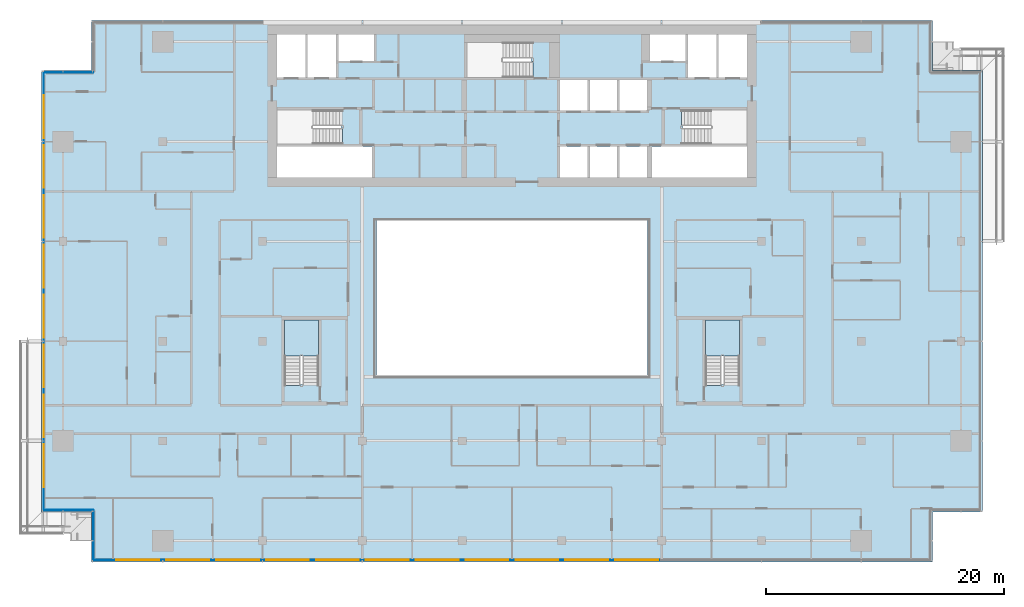
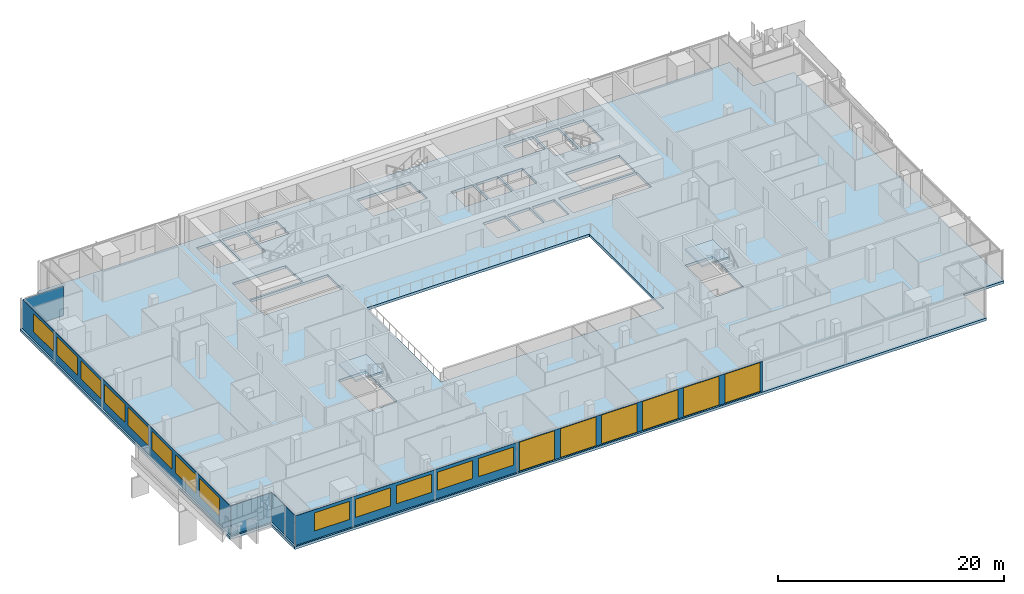
# One storey, part 14 of 29: 19 windows, 6 plates, 3 slabs, 19 openings, 7 elements without a shape of their own.
"""IFC4 building model written with IfcOpenShell, lengths in metres."""

from ifc_helpers import new_model, si_unit, direction, frame, frame_2d, origin, place, context, subcontext, project, spatial, polyline, rectangle, outline, extrude, material, layer, layer_set, type_object, element, fill, aggregate, save


model = new_model("IFC4")

# Units and contexts
model_context = context("Model", 3, precision=1e-05, world=origin(), true_north=direction((0.0, 1.0)))
body_context = subcontext(model_context, "Body", "Model", "MODEL_VIEW")
ifc_project = project(units=[si_unit("LENGTHUNIT", "METRE"), si_unit("AREAUNIT", "SQUARE_METRE"), si_unit("VOLUMEUNIT", "CUBIC_METRE"), si_unit("PLANEANGLEUNIT", "RADIAN"), si_unit("MASSUNIT", "GRAM", prefix="KILO")], contexts=[model_context])

# Site, building, storey
site_placement = place(None, origin())
site = spatial("IfcSite", under=ifc_project, at=site_placement, CompositionType="ELEMENT")
building_placement = place(site_placement, origin())
building = spatial("IfcBuilding", under=site, at=building_placement, Name="Saffron Gate Tower", CompositionType="ELEMENT")
storey_placement = place(building_placement, frame((0.0, 0.0, 187.050048828125)))
storey = spatial("IfcBuildingStorey", under=building, at=storey_placement, Name="L46", CompositionType="ELEMENT", Elevation=187.050048828125)

# Curtain wall, plates, openings, windows
ifc_material_1 = material(Name="Aluminium, bronze anodised", Category="aluminium")
curtain_wall_type_1 = type_object("IfcCurtainWallType", Name="CWS1 curtain wall front facade", PredefinedType="NOTDEFINED", material=ifc_material_1)
curtain_wall_1_placement = place(storey_placement, origin())
curtain_wall_1 = element("IfcCurtainWall", 1, at=curtain_wall_1_placement, inside=storey, type_object=curtain_wall_type_1, Name="CWS1 run 1", PredefinedType="NOTDEFINED")
ifc_material_2 = material(Name="Clear low-iron laminated glass", Category="glass")
ifc_layer_1 = layer(ifc_material_2, 0.028076171875)
ifc_layer_set_1 = layer_set([ifc_layer_1], Name="CWS1 clear glass")
plate_type_1 = type_object("IfcPlateType", Name="CWS1 clear glass", PredefinedType="CURTAIN_PANEL", material=ifc_layer_set_1)
plate_1_placement = place(storey_placement, frame((75.030029296875, 30.174072265625, 0.0), z_axis=(0.0, 0.0, 1.0), x_axis=(1.0, 0.0, 0.0)))
plate_1 = element("IfcPlate", 2, at=plate_1_placement, type_object=plate_type_1, Name="CWS1 clear glass panel", PredefinedType="CURTAIN_PANEL", context=body_context, shape_type="SweptSolid", body=[
    extrude(rectangle(XDim=25.139892578125, YDim=0.028076171875, at=frame_2d((12.56982421875, 0.0))), origin(), (0.0, 0.0, 1.0), 3.199951171875),
])
opening_1_placement = place(plate_1_placement, frame((0.27001953125, 0.0, 0.050048828125)))
opening_1 = element("IfcOpeningElement", 3, at=opening_1_placement, cuts=plate_1, Name="Opening WA", PredefinedType="OPENING", context=body_context, shape_type="SweptSolid", body=[
    extrude(rectangle(XDim=3.60009765625, YDim=3.10009765625, at=frame_2d((1.800048828125, 1.550048828125))), frame((0.0, 0.02392578125, 0.0), z_axis=(0.0, -1.0, 0.0), x_axis=(1.0, 0.0, 0.0)), (0.0, 0.0, 1.0), 0.048095703125),
])
opening_2_placement = place(plate_1_placement, frame((4.469970703125, 0.0, 0.050048828125)))
opening_2 = element("IfcOpeningElement", 4, at=opening_2_placement, cuts=plate_1, Name="Opening WA", PredefinedType="OPENING", context=body_context, shape_type="SweptSolid", body=[
    extrude(rectangle(XDim=3.60009765625, YDim=3.10009765625, at=frame_2d((1.800048828125, 1.550048828125))), frame((0.0, 0.02392578125, 0.0), z_axis=(0.0, -1.0, 0.0), x_axis=(1.0, 0.0, 0.0)), (0.0, 0.0, 1.0), 0.048095703125),
])
opening_3_placement = place(plate_1_placement, frame((8.669921875, 0.0, 0.050048828125)))
opening_3 = element("IfcOpeningElement", 5, at=opening_3_placement, cuts=plate_1, Name="Opening WA", PredefinedType="OPENING", context=body_context, shape_type="SweptSolid", body=[
    extrude(rectangle(XDim=3.60009765625, YDim=3.10009765625, at=frame_2d((1.800048828125, 1.550048828125))), frame((0.0, 0.02392578125, 0.0), z_axis=(0.0, -1.0, 0.0), x_axis=(1.0, 0.0, 0.0)), (0.0, 0.0, 1.0), 0.048095703125),
])
opening_4_placement = place(plate_1_placement, frame((12.8701171875, 0.0, 0.050048828125)))
opening_4 = element("IfcOpeningElement", 6, at=opening_4_placement, cuts=plate_1, Name="Opening WA", PredefinedType="OPENING", context=body_context, shape_type="SweptSolid", body=[
    extrude(rectangle(XDim=3.60009765625, YDim=3.10009765625, at=frame_2d((1.800048828125, 1.550048828125))), frame((0.0, 0.02392578125, 0.0), z_axis=(0.0, -1.0, 0.0), x_axis=(1.0, 0.0, 0.0)), (0.0, 0.0, 1.0), 0.048095703125),
])
opening_5_placement = place(plate_1_placement, frame((17.070068359375, 0.0, 0.050048828125)))
opening_5 = element("IfcOpeningElement", 7, at=opening_5_placement, cuts=plate_1, Name="Opening WA", PredefinedType="OPENING", context=body_context, shape_type="SweptSolid", body=[
    extrude(rectangle(XDim=3.60009765625, YDim=3.10009765625, at=frame_2d((1.800048828125, 1.550048828125))), frame((0.0, 0.02392578125, 0.0), z_axis=(0.0, -1.0, 0.0), x_axis=(1.0, 0.0, 0.0)), (0.0, 0.0, 1.0), 0.048095703125),
])
opening_6_placement = place(plate_1_placement, frame((21.27001953125, 0.0, 0.050048828125)))
opening_6 = element("IfcOpeningElement", 8, at=opening_6_placement, cuts=plate_1, Name="Opening WA", PredefinedType="OPENING", context=body_context, shape_type="SweptSolid", body=[
    extrude(rectangle(XDim=3.60009765625, YDim=3.10009765625, at=frame_2d((1.800048828125, 1.550048828125))), frame((0.0, 0.02392578125, 0.0), z_axis=(0.0, -1.0, 0.0), x_axis=(1.0, 0.0, 0.0)), (0.0, 0.0, 1.0), 0.048095703125),
])
ifc_material_3 = material(Name="Clear low-iron laminated glass in bronze frame", Category="glass")
ifc_layer_2 = layer(ifc_material_3, 0.06005859375)
ifc_layer_set_2 = layer_set([ifc_layer_2], Name="WA operable atrium unit 3600x3100")
window_type_1 = type_object("IfcWindowType", Name="WA operable atrium unit 3600x3100", PartitioningType="DOUBLE_PANEL_HORIZONTAL", PredefinedType="WINDOW", material=ifc_layer_set_2)
window_1_placement = place(opening_1_placement, origin())
window_1 = element("IfcWindow", 9, at=window_1_placement, type_object=window_type_1, Name="WA operable atrium unit", OverallHeight=3.10009765625, OverallWidth=3.60009765625, PartitioningType="SINGLE_PANEL", PredefinedType="WINDOW", context=body_context, shape_type="SweptSolid", body=[
    extrude(rectangle(XDim=3.60009765625, YDim=3.10009765625, at=frame_2d((1.800048828125, 1.550048828125))), frame((0.0, 0.013671875, 0.0), z_axis=(0.0, -1.0, 0.0), x_axis=(1.0, 0.0, 0.0)), (0.0, 0.0, 1.0), 0.027587890625),
])
fill(opening_1, window_1)
window_2_placement = place(opening_2_placement, origin())
window_2 = element("IfcWindow", 10, at=window_2_placement, type_object=window_type_1, Name="WA operable atrium unit", OverallHeight=3.10009765625, OverallWidth=3.60009765625, PartitioningType="SINGLE_PANEL", PredefinedType="WINDOW", context=body_context, shape_type="SweptSolid", body=[
    extrude(rectangle(XDim=3.60009765625, YDim=3.10009765625, at=frame_2d((1.800048828125, 1.550048828125))), frame((0.0, 0.013671875, 0.0), z_axis=(0.0, -1.0, 0.0), x_axis=(1.0, 0.0, 0.0)), (0.0, 0.0, 1.0), 0.027587890625),
])
fill(opening_2, window_2)
window_3_placement = place(opening_3_placement, origin())
window_3 = element("IfcWindow", 11, at=window_3_placement, type_object=window_type_1, Name="WA operable atrium unit", OverallHeight=3.10009765625, OverallWidth=3.60009765625, PartitioningType="SINGLE_PANEL", PredefinedType="WINDOW", context=body_context, shape_type="SweptSolid", body=[
    extrude(rectangle(XDim=3.60009765625, YDim=3.10009765625, at=frame_2d((1.800048828125, 1.550048828125))), frame((0.0, 0.013671875, 0.0), z_axis=(0.0, -1.0, 0.0), x_axis=(1.0, 0.0, 0.0)), (0.0, 0.0, 1.0), 0.027587890625),
])
fill(opening_3, window_3)
window_4_placement = place(opening_4_placement, origin())
window_4 = element("IfcWindow", 12, at=window_4_placement, type_object=window_type_1, Name="WA operable atrium unit", OverallHeight=3.10009765625, OverallWidth=3.60009765625, PartitioningType="SINGLE_PANEL", PredefinedType="WINDOW", context=body_context, shape_type="SweptSolid", body=[
    extrude(rectangle(XDim=3.60009765625, YDim=3.10009765625, at=frame_2d((1.800048828125, 1.550048828125))), frame((0.0, 0.013671875, 0.0), z_axis=(0.0, -1.0, 0.0), x_axis=(1.0, 0.0, 0.0)), (0.0, 0.0, 1.0), 0.027587890625),
])
fill(opening_4, window_4)
window_5_placement = place(opening_5_placement, origin())
window_5 = element("IfcWindow", 13, at=window_5_placement, type_object=window_type_1, Name="WA operable atrium unit", OverallHeight=3.10009765625, OverallWidth=3.60009765625, PartitioningType="SINGLE_PANEL", PredefinedType="WINDOW", context=body_context, shape_type="SweptSolid", body=[
    extrude(rectangle(XDim=3.60009765625, YDim=3.10009765625, at=frame_2d((1.800048828125, 1.550048828125))), frame((0.0, 0.013671875, 0.0), z_axis=(0.0, -1.0, 0.0), x_axis=(1.0, 0.0, 0.0)), (0.0, 0.0, 1.0), 0.027587890625),
])
fill(opening_5, window_5)
window_6_placement = place(opening_6_placement, origin())
window_6 = element("IfcWindow", 14, at=window_6_placement, type_object=window_type_1, Name="WA operable atrium unit", OverallHeight=3.10009765625, OverallWidth=3.60009765625, PartitioningType="SINGLE_PANEL", PredefinedType="WINDOW", context=body_context, shape_type="SweptSolid", body=[
    extrude(rectangle(XDim=3.60009765625, YDim=3.10009765625, at=frame_2d((1.800048828125, 1.550048828125))), frame((0.0, 0.013671875, 0.0), z_axis=(0.0, -1.0, 0.0), x_axis=(1.0, 0.0, 0.0)), (0.0, 0.0, 1.0), 0.027587890625),
])
fill(opening_6, window_6)
ifc_material_4 = material(Name="Fritted bronze-tinted laminated glass", Category="glass")
ifc_layer_3 = layer(ifc_material_4, 0.028076171875)
ifc_layer_set_3 = layer_set([ifc_layer_3], Name="CWS1 fixed glass")
plate_type_2 = type_object("IfcPlateType", Name="CWS1 fixed glass", PredefinedType="CURTAIN_PANEL", material=ifc_layer_set_3)
plate_2_placement = place(storey_placement, frame((52.387939453125, 30.174072265625, 0.0), z_axis=(0.0, 0.0, 1.0), x_axis=(1.0, 0.0, 0.0)))
plate_2 = element("IfcPlate", 15, at=plate_2_placement, type_object=plate_type_2, Name="CWS1 glass panel", PredefinedType="CURTAIN_PANEL", context=body_context, shape_type="SweptSolid", body=[
    extrude(rectangle(XDim=22.64208984375, YDim=0.028076171875, at=frame_2d((11.321044921875, 0.0))), origin(), (0.0, 0.0, 1.0), 3.199951171875),
])
opening_7_placement = place(plate_2_placement, frame((1.912109375, 0.0, 0.89990234375)))
opening_7 = element("IfcOpeningElement", 16, at=opening_7_placement, cuts=plate_2, Name="Opening W1", PredefinedType="OPENING", context=body_context, shape_type="SweptSolid", body=[
    extrude(rectangle(XDim=3.60009765625, YDim=1.949951171875, at=frame_2d((1.800048828125, 0.97509765625))), frame((0.0, 0.02392578125, 0.0), z_axis=(0.0, -1.0, 0.0), x_axis=(1.0, 0.0, 0.0)), (0.0, 0.0, 1.0), 0.048095703125),
])
opening_8_placement = place(plate_2_placement, frame((6.112060546875, 0.0, 0.89990234375)))
opening_8 = element("IfcOpeningElement", 17, at=opening_8_placement, cuts=plate_2, Name="Opening W1", PredefinedType="OPENING", context=body_context, shape_type="SweptSolid", body=[
    extrude(rectangle(XDim=3.60009765625, YDim=1.949951171875, at=frame_2d((1.800048828125, 0.97509765625))), frame((0.0, 0.02392578125, 0.0), z_axis=(0.0, -1.0, 0.0), x_axis=(1.0, 0.0, 0.0)), (0.0, 0.0, 1.0), 0.048095703125),
])
opening_9_placement = place(plate_2_placement, frame((10.31201171875, 0.0, 0.89990234375)))
opening_9 = element("IfcOpeningElement", 18, at=opening_9_placement, cuts=plate_2, Name="Opening W1", PredefinedType="OPENING", context=body_context, shape_type="SweptSolid", body=[
    extrude(rectangle(XDim=3.60009765625, YDim=1.949951171875, at=frame_2d((1.800048828125, 0.97509765625))), frame((0.0, 0.02392578125, 0.0), z_axis=(0.0, -1.0, 0.0), x_axis=(1.0, 0.0, 0.0)), (0.0, 0.0, 1.0), 0.048095703125),
])
opening_10_placement = place(plate_2_placement, frame((14.511962890625, 0.0, 0.89990234375)))
opening_10 = element("IfcOpeningElement", 19, at=opening_10_placement, cuts=plate_2, Name="Opening W1", PredefinedType="OPENING", context=body_context, shape_type="SweptSolid", body=[
    extrude(rectangle(XDim=3.60009765625, YDim=1.949951171875, at=frame_2d((1.800048828125, 0.97509765625))), frame((0.0, 0.02392578125, 0.0), z_axis=(0.0, -1.0, 0.0), x_axis=(1.0, 0.0, 0.0)), (0.0, 0.0, 1.0), 0.048095703125),
])
opening_11_placement = place(plate_2_placement, frame((18.7119140625, 0.0, 0.89990234375)))
opening_11 = element("IfcOpeningElement", 20, at=opening_11_placement, cuts=plate_2, Name="Opening W1", PredefinedType="OPENING", context=body_context, shape_type="SweptSolid", body=[
    extrude(rectangle(XDim=3.60009765625, YDim=1.949951171875, at=frame_2d((1.800048828125, 0.97509765625))), frame((0.0, 0.02392578125, 0.0), z_axis=(0.0, -1.0, 0.0), x_axis=(1.0, 0.0, 0.0)), (0.0, 0.0, 1.0), 0.048095703125),
])
ifc_material_5 = material(Name="Fritted bronze-tinted laminated glass in bronze frame", Category="glass")
ifc_layer_4 = layer(ifc_material_5, 0.06005859375)
ifc_layer_set_4 = layer_set([ifc_layer_4], Name="W1 operable panel 3600x1950")
window_type_2 = type_object("IfcWindowType", Name="W1 operable panel 3600x1950", PartitioningType="DOUBLE_PANEL_HORIZONTAL", PredefinedType="WINDOW", material=ifc_layer_set_4)
window_7_placement = place(opening_7_placement, origin())
window_7 = element("IfcWindow", 21, at=window_7_placement, type_object=window_type_2, Name="W1 operable panel", OverallHeight=1.949951171875, OverallWidth=3.60009765625, PartitioningType="SINGLE_PANEL", PredefinedType="WINDOW", context=body_context, shape_type="SweptSolid", body=[
    extrude(rectangle(XDim=3.60009765625, YDim=1.949951171875, at=frame_2d((1.800048828125, 0.97509765625))), frame((0.0, 0.013671875, 0.0), z_axis=(0.0, -1.0, 0.0), x_axis=(1.0, 0.0, 0.0)), (0.0, 0.0, 1.0), 0.027587890625),
])
fill(opening_7, window_7)
window_8_placement = place(opening_8_placement, origin())
window_8 = element("IfcWindow", 22, at=window_8_placement, type_object=window_type_2, Name="W1 operable panel", OverallHeight=1.949951171875, OverallWidth=3.60009765625, PartitioningType="SINGLE_PANEL", PredefinedType="WINDOW", context=body_context, shape_type="SweptSolid", body=[
    extrude(rectangle(XDim=3.60009765625, YDim=1.949951171875, at=frame_2d((1.800048828125, 0.97509765625))), frame((0.0, 0.013671875, 0.0), z_axis=(0.0, -1.0, 0.0), x_axis=(1.0, 0.0, 0.0)), (0.0, 0.0, 1.0), 0.027587890625),
])
fill(opening_8, window_8)
window_9_placement = place(opening_9_placement, origin())
window_9 = element("IfcWindow", 23, at=window_9_placement, type_object=window_type_2, Name="W1 operable panel", OverallHeight=1.949951171875, OverallWidth=3.60009765625, PartitioningType="SINGLE_PANEL", PredefinedType="WINDOW", context=body_context, shape_type="SweptSolid", body=[
    extrude(rectangle(XDim=3.60009765625, YDim=1.949951171875, at=frame_2d((1.800048828125, 0.97509765625))), frame((0.0, 0.013671875, 0.0), z_axis=(0.0, -1.0, 0.0), x_axis=(1.0, 0.0, 0.0)), (0.0, 0.0, 1.0), 0.027587890625),
])
fill(opening_9, window_9)
window_10_placement = place(opening_10_placement, origin())
window_10 = element("IfcWindow", 24, at=window_10_placement, type_object=window_type_2, Name="W1 operable panel", OverallHeight=1.949951171875, OverallWidth=3.60009765625, PartitioningType="SINGLE_PANEL", PredefinedType="WINDOW", context=body_context, shape_type="SweptSolid", body=[
    extrude(rectangle(XDim=3.60009765625, YDim=1.949951171875, at=frame_2d((1.800048828125, 0.97509765625))), frame((0.0, 0.013671875, 0.0), z_axis=(0.0, -1.0, 0.0), x_axis=(1.0, 0.0, 0.0)), (0.0, 0.0, 1.0), 0.027587890625),
])
fill(opening_10, window_10)
window_11_placement = place(opening_11_placement, origin())
window_11 = element("IfcWindow", 25, at=window_11_placement, type_object=window_type_2, Name="W1 operable panel", OverallHeight=1.949951171875, OverallWidth=3.60009765625, PartitioningType="SINGLE_PANEL", PredefinedType="WINDOW", context=body_context, shape_type="SweptSolid", body=[
    extrude(rectangle(XDim=3.60009765625, YDim=1.949951171875, at=frame_2d((1.800048828125, 0.97509765625))), frame((0.0, 0.013671875, 0.0), z_axis=(0.0, -1.0, 0.0), x_axis=(1.0, 0.0, 0.0)), (0.0, 0.0, 1.0), 0.027587890625),
])
fill(opening_11, window_11)
aggregate(curtain_wall_1, [plate_2, plate_1, window_7, window_8, window_9, window_10, window_11, window_1, window_2, window_3, window_4, window_5, window_6])

# Curtain wall, plate, openings, windows
curtain_wall_type_2 = type_object("IfcCurtainWallType", Name="CWS2 curtain wall side facades", PredefinedType="NOTDEFINED", material=ifc_material_1)
curtain_wall_2_placement = place(storey_placement, origin())
curtain_wall_2 = element("IfcCurtainWall", 26, at=curtain_wall_2_placement, inside=storey, type_object=curtain_wall_type_2, Name="CWS2 run 10", PredefinedType="NOTDEFINED")
ifc_layer_5 = layer(ifc_material_4, 0.028076171875)
ifc_layer_set_5 = layer_set([ifc_layer_5], Name="CWS2 fixed glass")
plate_type_3 = type_object("IfcPlateType", Name="CWS2 fixed glass", PredefinedType="CURTAIN_PANEL", material=ifc_layer_set_5)
plate_3_placement = place(storey_placement, frame((48.174072265625, 71.2119140625, 0.0), z_axis=(0.0, 0.0, 1.0), x_axis=(0.0, -1.0, 0.0)))
plate_3 = element("IfcPlate", 27, at=plate_3_placement, type_object=plate_type_3, Name="CWS2 glass panel", PredefinedType="CURTAIN_PANEL", context=body_context, shape_type="SweptSolid", body=[
    extrude(rectangle(XDim=36.823974609375, YDim=0.028076171875, at=frame_2d((18.412109375, 0.0))), origin(), (0.0, 0.0, 1.0), 3.199951171875),
])
opening_12_placement = place(plate_3_placement, frame((1.912109375, 0.0, 0.89990234375)))
opening_12 = element("IfcOpeningElement", 28, at=opening_12_placement, cuts=plate_3, Name="Opening W1", PredefinedType="OPENING", context=body_context, shape_type="SweptSolid", body=[
    extrude(rectangle(XDim=3.60009765625, YDim=1.949951171875, at=frame_2d((1.800048828125, 0.97509765625))), frame((0.0, 0.02392578125, 0.0), z_axis=(0.0, -1.0, 0.0), x_axis=(1.0, 0.0, 0.0)), (0.0, 0.0, 1.0), 0.048095703125),
])
opening_13_placement = place(plate_3_placement, frame((6.112060546875, 0.0, 0.89990234375)))
opening_13 = element("IfcOpeningElement", 29, at=opening_13_placement, cuts=plate_3, Name="Opening W1", PredefinedType="OPENING", context=body_context, shape_type="SweptSolid", body=[
    extrude(rectangle(XDim=3.60009765625, YDim=1.949951171875, at=frame_2d((1.800048828125, 0.97509765625))), frame((0.0, 0.02392578125, 0.0), z_axis=(0.0, -1.0, 0.0), x_axis=(1.0, 0.0, 0.0)), (0.0, 0.0, 1.0), 0.048095703125),
])
opening_14_placement = place(plate_3_placement, frame((10.31201171875, 0.0, 0.89990234375)))
opening_14 = element("IfcOpeningElement", 30, at=opening_14_placement, cuts=plate_3, Name="Opening W1", PredefinedType="OPENING", context=body_context, shape_type="SweptSolid", body=[
    extrude(rectangle(XDim=3.60009765625, YDim=1.949951171875, at=frame_2d((1.800048828125, 0.97509765625))), frame((0.0, 0.02392578125, 0.0), z_axis=(0.0, -1.0, 0.0), x_axis=(1.0, 0.0, 0.0)), (0.0, 0.0, 1.0), 0.048095703125),
])
opening_15_placement = place(plate_3_placement, frame((14.511962890625, 0.0, 0.89990234375)))
opening_15 = element("IfcOpeningElement", 31, at=opening_15_placement, cuts=plate_3, Name="Opening W1", PredefinedType="OPENING", context=body_context, shape_type="SweptSolid", body=[
    extrude(rectangle(XDim=3.60009765625, YDim=1.949951171875, at=frame_2d((1.800048828125, 0.97509765625))), frame((0.0, 0.02392578125, 0.0), z_axis=(0.0, -1.0, 0.0), x_axis=(1.0, 0.0, 0.0)), (0.0, 0.0, 1.0), 0.048095703125),
])
opening_16_placement = place(plate_3_placement, frame((18.7119140625, 0.0, 0.89990234375)))
opening_16 = element("IfcOpeningElement", 32, at=opening_16_placement, cuts=plate_3, Name="Opening W1", PredefinedType="OPENING", context=body_context, shape_type="SweptSolid", body=[
    extrude(rectangle(XDim=3.60009765625, YDim=1.949951171875, at=frame_2d((1.800048828125, 0.97509765625))), frame((0.0, 0.02392578125, 0.0), z_axis=(0.0, -1.0, 0.0), x_axis=(1.0, 0.0, 0.0)), (0.0, 0.0, 1.0), 0.048095703125),
])
opening_17_placement = place(plate_3_placement, frame((22.912109375, 0.0, 0.89990234375)))
opening_17 = element("IfcOpeningElement", 33, at=opening_17_placement, cuts=plate_3, Name="Opening W1", PredefinedType="OPENING", context=body_context, shape_type="SweptSolid", body=[
    extrude(rectangle(XDim=3.60009765625, YDim=1.949951171875, at=frame_2d((1.800048828125, 0.97509765625))), frame((0.0, 0.02392578125, 0.0), z_axis=(0.0, -1.0, 0.0), x_axis=(1.0, 0.0, 0.0)), (0.0, 0.0, 1.0), 0.048095703125),
])
opening_18_placement = place(plate_3_placement, frame((27.112060546875, 0.0, 0.89990234375)))
opening_18 = element("IfcOpeningElement", 34, at=opening_18_placement, cuts=plate_3, Name="Opening W1", PredefinedType="OPENING", context=body_context, shape_type="SweptSolid", body=[
    extrude(rectangle(XDim=3.60009765625, YDim=1.949951171875, at=frame_2d((1.800048828125, 0.97509765625))), frame((0.0, 0.02392578125, 0.0), z_axis=(0.0, -1.0, 0.0), x_axis=(1.0, 0.0, 0.0)), (0.0, 0.0, 1.0), 0.048095703125),
])
opening_19_placement = place(plate_3_placement, frame((31.31201171875, 0.0, 0.89990234375)))
opening_19 = element("IfcOpeningElement", 35, at=opening_19_placement, cuts=plate_3, Name="Opening W1", PredefinedType="OPENING", context=body_context, shape_type="SweptSolid", body=[
    extrude(rectangle(XDim=3.60009765625, YDim=1.949951171875, at=frame_2d((1.800048828125, 0.97509765625))), frame((0.0, 0.02392578125, 0.0), z_axis=(0.0, -1.0, 0.0), x_axis=(1.0, 0.0, 0.0)), (0.0, 0.0, 1.0), 0.048095703125),
])
window_12_placement = place(opening_12_placement, origin())
window_12 = element("IfcWindow", 36, at=window_12_placement, type_object=window_type_2, Name="W1 operable panel", OverallHeight=1.949951171875, OverallWidth=3.60009765625, PartitioningType="SINGLE_PANEL", PredefinedType="WINDOW", context=body_context, shape_type="SweptSolid", body=[
    extrude(rectangle(XDim=3.60009765625, YDim=1.949951171875, at=frame_2d((1.800048828125, 0.97509765625))), frame((0.0, 0.013671875, 0.0), z_axis=(0.0, -1.0, 0.0), x_axis=(1.0, 0.0, 0.0)), (0.0, 0.0, 1.0), 0.027587890625),
])
fill(opening_12, window_12)
window_13_placement = place(opening_13_placement, origin())
window_13 = element("IfcWindow", 37, at=window_13_placement, type_object=window_type_2, Name="W1 operable panel", OverallHeight=1.949951171875, OverallWidth=3.60009765625, PartitioningType="SINGLE_PANEL", PredefinedType="WINDOW", context=body_context, shape_type="SweptSolid", body=[
    extrude(rectangle(XDim=3.60009765625, YDim=1.949951171875, at=frame_2d((1.800048828125, 0.97509765625))), frame((0.0, 0.013671875, 0.0), z_axis=(0.0, -1.0, 0.0), x_axis=(1.0, 0.0, 0.0)), (0.0, 0.0, 1.0), 0.027587890625),
])
fill(opening_13, window_13)
window_14_placement = place(opening_14_placement, origin())
window_14 = element("IfcWindow", 38, at=window_14_placement, type_object=window_type_2, Name="W1 operable panel", OverallHeight=1.949951171875, OverallWidth=3.60009765625, PartitioningType="SINGLE_PANEL", PredefinedType="WINDOW", context=body_context, shape_type="SweptSolid", body=[
    extrude(rectangle(XDim=3.60009765625, YDim=1.949951171875, at=frame_2d((1.800048828125, 0.97509765625))), frame((0.0, 0.013671875, 0.0), z_axis=(0.0, -1.0, 0.0), x_axis=(1.0, 0.0, 0.0)), (0.0, 0.0, 1.0), 0.027587890625),
])
fill(opening_14, window_14)
window_15_placement = place(opening_15_placement, origin())
window_15 = element("IfcWindow", 39, at=window_15_placement, type_object=window_type_2, Name="W1 operable panel", OverallHeight=1.949951171875, OverallWidth=3.60009765625, PartitioningType="SINGLE_PANEL", PredefinedType="WINDOW", context=body_context, shape_type="SweptSolid", body=[
    extrude(rectangle(XDim=3.60009765625, YDim=1.949951171875, at=frame_2d((1.800048828125, 0.97509765625))), frame((0.0, 0.013671875, 0.0), z_axis=(0.0, -1.0, 0.0), x_axis=(1.0, 0.0, 0.0)), (0.0, 0.0, 1.0), 0.027587890625),
])
fill(opening_15, window_15)
window_16_placement = place(opening_16_placement, origin())
window_16 = element("IfcWindow", 40, at=window_16_placement, type_object=window_type_2, Name="W1 operable panel", OverallHeight=1.949951171875, OverallWidth=3.60009765625, PartitioningType="SINGLE_PANEL", PredefinedType="WINDOW", context=body_context, shape_type="SweptSolid", body=[
    extrude(rectangle(XDim=3.60009765625, YDim=1.949951171875, at=frame_2d((1.800048828125, 0.97509765625))), frame((0.0, 0.013671875, 0.0), z_axis=(0.0, -1.0, 0.0), x_axis=(1.0, 0.0, 0.0)), (0.0, 0.0, 1.0), 0.027587890625),
])
fill(opening_16, window_16)
window_17_placement = place(opening_17_placement, origin())
window_17 = element("IfcWindow", 41, at=window_17_placement, type_object=window_type_2, Name="W1 operable panel", OverallHeight=1.949951171875, OverallWidth=3.60009765625, PartitioningType="SINGLE_PANEL", PredefinedType="WINDOW", context=body_context, shape_type="SweptSolid", body=[
    extrude(rectangle(XDim=3.60009765625, YDim=1.949951171875, at=frame_2d((1.800048828125, 0.97509765625))), frame((0.0, 0.013671875, 0.0), z_axis=(0.0, -1.0, 0.0), x_axis=(1.0, 0.0, 0.0)), (0.0, 0.0, 1.0), 0.027587890625),
])
fill(opening_17, window_17)
window_18_placement = place(opening_18_placement, origin())
window_18 = element("IfcWindow", 42, at=window_18_placement, type_object=window_type_2, Name="W1 operable panel", OverallHeight=1.949951171875, OverallWidth=3.60009765625, PartitioningType="SINGLE_PANEL", PredefinedType="WINDOW", context=body_context, shape_type="SweptSolid", body=[
    extrude(rectangle(XDim=3.60009765625, YDim=1.949951171875, at=frame_2d((1.800048828125, 0.97509765625))), frame((0.0, 0.013671875, 0.0), z_axis=(0.0, -1.0, 0.0), x_axis=(1.0, 0.0, 0.0)), (0.0, 0.0, 1.0), 0.027587890625),
])
fill(opening_18, window_18)
window_19_placement = place(opening_19_placement, origin())
window_19 = element("IfcWindow", 43, at=window_19_placement, type_object=window_type_2, Name="W1 operable panel", OverallHeight=1.949951171875, OverallWidth=3.60009765625, PartitioningType="SINGLE_PANEL", PredefinedType="WINDOW", context=body_context, shape_type="SweptSolid", body=[
    extrude(rectangle(XDim=3.60009765625, YDim=1.949951171875, at=frame_2d((1.800048828125, 0.97509765625))), frame((0.0, 0.013671875, 0.0), z_axis=(0.0, -1.0, 0.0), x_axis=(1.0, 0.0, 0.0)), (0.0, 0.0, 1.0), 0.027587890625),
])
fill(opening_19, window_19)
aggregate(curtain_wall_2, [plate_3, window_12, window_13, window_14, window_15, window_16, window_17, window_18, window_19])

# Curtain wall, plate
curtain_wall_type_3 = type_object("IfcCurtainWallType", Name="CWS4 curtain wall corner returns", PredefinedType="NOTDEFINED", material=ifc_material_1)
curtain_wall_3_placement = place(storey_placement, origin())
curtain_wall_3 = element("IfcCurtainWall", 44, at=curtain_wall_3_placement, inside=storey, type_object=curtain_wall_type_3, Name="CWS4 run 9", PredefinedType="NOTDEFINED")
ifc_layer_6 = layer(ifc_material_4, 0.028076171875)
ifc_layer_set_6 = layer_set([ifc_layer_6], Name="CWS4 fixed glass")
plate_type_4 = type_object("IfcPlateType", Name="CWS4 fixed glass", PredefinedType="CURTAIN_PANEL", material=ifc_layer_set_6)
plate_4_placement = place(storey_placement, frame((52.360107421875, 71.22607421875, 0.0), z_axis=(0.0, 0.0, 1.0), x_axis=(-1.0, 0.0, 0.0)))
plate_4 = element("IfcPlate", 45, at=plate_4_placement, type_object=plate_type_4, Name="CWS4 glass panel", PredefinedType="CURTAIN_PANEL", context=body_context, shape_type="SweptSolid", body=[
    extrude(rectangle(XDim=4.172119140625, YDim=0.028076171875, at=frame_2d((2.0859375, 0.0))), origin(), (0.0, 0.0, 1.0), 3.199951171875),
])
aggregate(curtain_wall_3, [plate_4])

curtain_wall_4_placement = place(storey_placement, origin())
curtain_wall_4 = element("IfcCurtainWall", 46, at=curtain_wall_4_placement, inside=storey, type_object=curtain_wall_type_3, Name="CWS4 run 11", PredefinedType="NOTDEFINED")
plate_5_placement = place(storey_placement, frame((48.18798828125, 34.3740234375, 0.0), z_axis=(0.0, 0.0, 1.0), x_axis=(1.0, 0.0, 0.0)))
plate_5 = element("IfcPlate", 47, at=plate_5_placement, type_object=plate_type_4, Name="CWS4 glass panel", PredefinedType="CURTAIN_PANEL", context=body_context, shape_type="SweptSolid", body=[
    extrude(rectangle(XDim=4.172119140625, YDim=0.028076171875, at=frame_2d((2.0859375, 0.0))), origin(), (0.0, 0.0, 1.0), 3.199951171875),
])
aggregate(curtain_wall_4, [plate_5])

curtain_wall_5_placement = place(storey_placement, origin())
curtain_wall_5 = element("IfcCurtainWall", 48, at=curtain_wall_5_placement, inside=storey, type_object=curtain_wall_type_3, Name="CWS4 run 12", PredefinedType="NOTDEFINED")
plate_6_placement = place(storey_placement, frame((52.3740234375, 34.360107421875, 0.0), z_axis=(0.0, 0.0, 1.0), x_axis=(0.0, -1.0, 0.0)))
plate_6 = element("IfcPlate", 49, at=plate_6_placement, type_object=plate_type_4, Name="CWS4 glass panel", PredefinedType="CURTAIN_PANEL", context=body_context, shape_type="SweptSolid", body=[
    extrude(rectangle(XDim=4.172119140625, YDim=0.028076171875, at=frame_2d((2.0859375, 0.0))), origin(), (0.0, 0.0, 1.0), 3.199951171875),
])
aggregate(curtain_wall_5, [plate_6])

# Slab
ifc_material_6 = material(Name="Concrete C40", Category="concrete")
ifc_layer_7 = layer(ifc_material_6, 0.280029296875)
ifc_layer_set_7 = layer_set([ifc_layer_7], Name="S2 FLOOR SLAB 280 CONCRETE C40")
slab_type_1 = type_object("IfcSlabType", Name="S2 FLOOR SLAB 280 CONCRETE C40", PredefinedType="FLOOR", material=ifc_layer_set_7)
slab_1_placement = place(storey_placement, frame((0.0, 0.0, -0.280029296875)))
element("IfcSlab", 50, at=slab_1_placement, inside=storey, type_object=slab_type_1, Name="S2 FLOOR SLAB", PredefinedType="FLOOR", context=body_context, shape_type="SweptSolid", body=[
    extrude(outline(polyline([(48.0, 34.199951171875), (52.199951171875, 34.199951171875), (52.199951171875, 30.0), (123.0, 30.0), (123.0, 34.199951171875), (127.199951171875, 34.199951171875), (127.199951171875, 71.39990234375), (123.0, 71.39990234375), (123.0, 75.60009765625), (52.199951171875, 75.60009765625), (52.199951171875, 71.39990234375), (48.0, 71.39990234375), (48.0, 34.199951171875)]), holes=[polyline([(67.800048828125, 62.39990234375), (67.800048828125, 65.0), (75.800048828125, 65.0), (75.800048828125, 62.39990234375), (67.800048828125, 62.39990234375)]), polyline([(67.800048828125, 65.199951171875), (67.800048828125, 68.050048828125), (73.25, 68.050048828125), (73.25, 66.550048828125), (73.34912109375, 66.550048828125), (73.34912109375, 65.199951171875), (67.800048828125, 65.199951171875)]), polyline([(67.800048828125, 70.800048828125), (67.800048828125, 74.39990234375), (70.199951171875, 74.39990234375), (70.199951171875, 70.800048828125), (67.800048828125, 70.800048828125)]), polyline([(68.449951171875, 44.85107421875), (68.449951171875, 50.39990234375), (71.300048828125, 50.39990234375), (71.300048828125, 44.949951171875), (69.800048828125, 44.949951171875), (69.800048828125, 44.85107421875), (68.449951171875, 44.85107421875)]), polyline([(70.39990234375, 70.800048828125), (70.39990234375, 74.39990234375), (72.800048828125, 74.39990234375), (72.800048828125, 70.800048828125), (70.39990234375, 70.800048828125)]), polyline([(73.0, 72.199951171875), (73.0, 74.39990234375), (76.0, 74.39990234375), (76.0, 72.199951171875), (73.0, 72.199951171875)]), polyline([(76.199951171875, 45.60009765625), (76.199951171875, 58.800048828125), (99.0, 58.800048828125), (99.0, 45.60009765625), (76.199951171875, 45.60009765625)]), polyline([(83.800048828125, 70.800048828125), (83.800048828125, 73.75), (89.25, 73.75), (89.25, 72.14990234375), (89.34912109375, 72.14990234375), (89.34912109375, 70.800048828125), (83.800048828125, 70.800048828125)]), polyline([(91.64990234375, 62.39990234375), (91.64990234375, 65.0), (93.949951171875, 65.0), (93.949951171875, 62.39990234375), (91.64990234375, 62.39990234375)]), polyline([(91.64990234375, 68.0), (91.64990234375, 70.60009765625), (93.949951171875, 70.60009765625), (93.949951171875, 68.0), (91.64990234375, 68.0)]), polyline([(94.14990234375, 62.39990234375), (94.14990234375, 65.0), (96.449951171875, 65.0), (96.449951171875, 62.39990234375), (94.14990234375, 62.39990234375)]), polyline([(94.14990234375, 68.0), (94.14990234375, 70.60009765625), (96.449951171875, 70.60009765625), (96.449951171875, 68.0), (94.14990234375, 68.0)]), polyline([(96.64990234375, 62.39990234375), (96.64990234375, 65.0), (98.949951171875, 65.0), (98.949951171875, 62.39990234375), (96.64990234375, 62.39990234375)]), polyline([(96.64990234375, 68.0), (96.64990234375, 70.60009765625), (98.949951171875, 70.60009765625), (98.949951171875, 68.0), (96.64990234375, 68.0)]), polyline([(99.199951171875, 72.199951171875), (99.199951171875, 74.39990234375), (102.199951171875, 74.39990234375), (102.199951171875, 72.199951171875), (99.199951171875, 72.199951171875)]), polyline([(99.39990234375, 62.39990234375), (99.39990234375, 65.0), (107.39990234375, 65.0), (107.39990234375, 62.39990234375), (99.39990234375, 62.39990234375)]), polyline([(101.85107421875, 66.699951171875), (101.85107421875, 68.050048828125), (107.39990234375, 68.050048828125), (107.39990234375, 65.199951171875), (101.949951171875, 65.199951171875), (101.949951171875, 66.699951171875), (101.85107421875, 66.699951171875)]), polyline([(102.39990234375, 70.800048828125), (102.39990234375, 74.39990234375), (104.800048828125, 74.39990234375), (104.800048828125, 70.800048828125), (102.39990234375, 70.800048828125)]), polyline([(103.89990234375, 44.85107421875), (103.89990234375, 50.39990234375), (106.75, 50.39990234375), (106.75, 44.949951171875), (105.25, 44.949951171875), (105.25, 44.85107421875), (103.89990234375, 44.85107421875)]), polyline([(105.0, 70.800048828125), (105.0, 74.39990234375), (107.39990234375, 74.39990234375), (107.39990234375, 70.800048828125), (105.0, 70.800048828125)])]), origin(), (0.0, 0.0, 1.0), 0.280029296875),
])

# Stair, slab
stair_type = type_object("IfcStairType", Name="ST7 Stair 1350 wide, 20 risers of 180", PredefinedType="HALF_TURN_STAIR", material=ifc_material_6)
stair_1_placement = place(storey_placement, origin())
stair_1 = element("IfcStair", 51, at=stair_1_placement, inside=storey, type_object=stair_type, Name="L46 Exit stair D", PredefinedType="HALF_TURN_STAIR")
ifc_layer_8 = layer(ifc_material_6, 0.199951171875)
ifc_layer_set_8 = layer_set([ifc_layer_8], Name="SL1 Stair landing 200")
slab_type_2 = type_object("IfcSlabType", Name="SL1 Stair landing 200", PredefinedType="LANDING", material=ifc_layer_set_8)
slab_2_placement = place(storey_placement, frame((0.0, 0.0, 1.599853515625)))
slab_2 = element("IfcSlab", 52, at=slab_2_placement, type_object=slab_type_2, Name="ST-D landing 1", PredefinedType="LANDING", context=body_context, shape_type="SweptSolid", body=[
    extrude(outline(polyline([(71.300048828125, 47.3701171875), (71.300048828125, 50.39990234375), (68.449951171875, 50.39990234375), (68.449951171875, 47.3701171875), (71.300048828125, 47.3701171875)])), origin(), (0.0, 0.0, 1.0), 0.2001953125),
])
aggregate(stair_1, [slab_2])

stair_2_placement = place(storey_placement, origin())
stair_2 = element("IfcStair", 53, at=stair_2_placement, inside=storey, type_object=stair_type, Name="L46 Exit stair E", PredefinedType="HALF_TURN_STAIR")
slab_3_placement = place(storey_placement, frame((0.0, 0.0, 1.599853515625)))
slab_3 = element("IfcSlab", 54, at=slab_3_placement, type_object=slab_type_2, Name="ST-E landing 1", PredefinedType="LANDING", context=body_context, shape_type="SweptSolid", body=[
    extrude(outline(polyline([(106.75, 47.3701171875), (106.75, 50.39990234375), (103.89990234375, 50.39990234375), (103.89990234375, 47.3701171875), (106.75, 47.3701171875)])), origin(), (0.0, 0.0, 1.0), 0.2001953125),
])
aggregate(stair_2, [slab_3])

save(model, "model.ifc")
